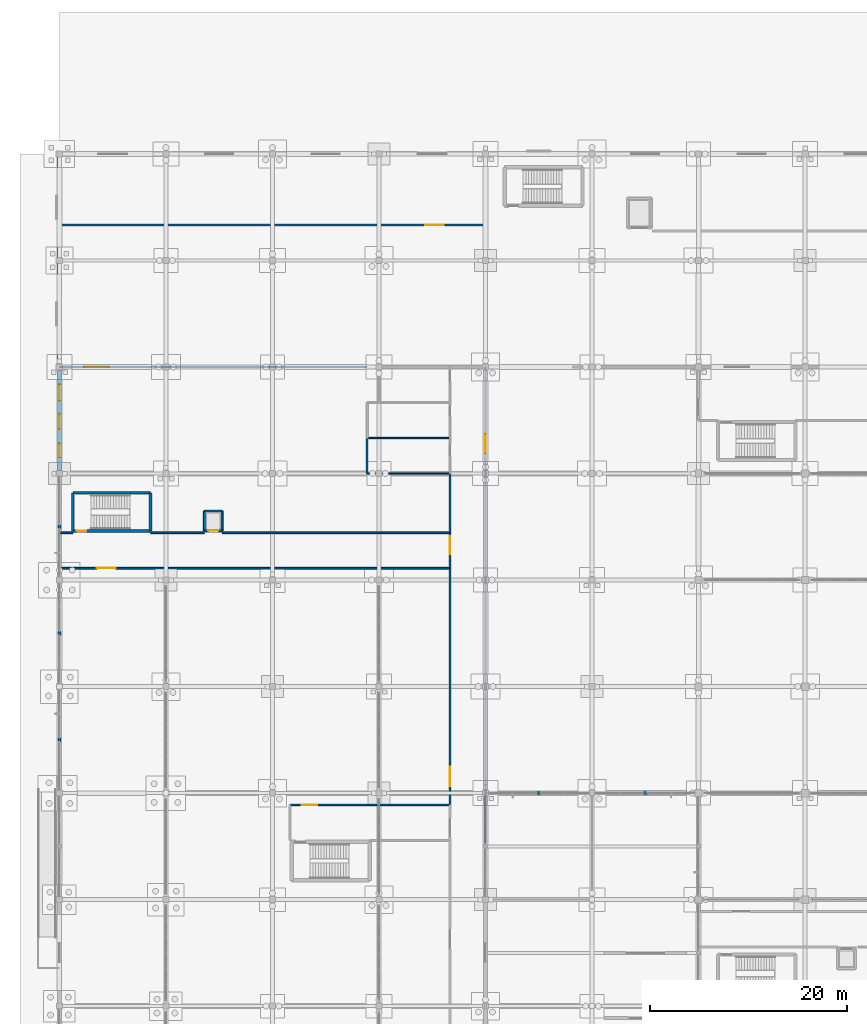
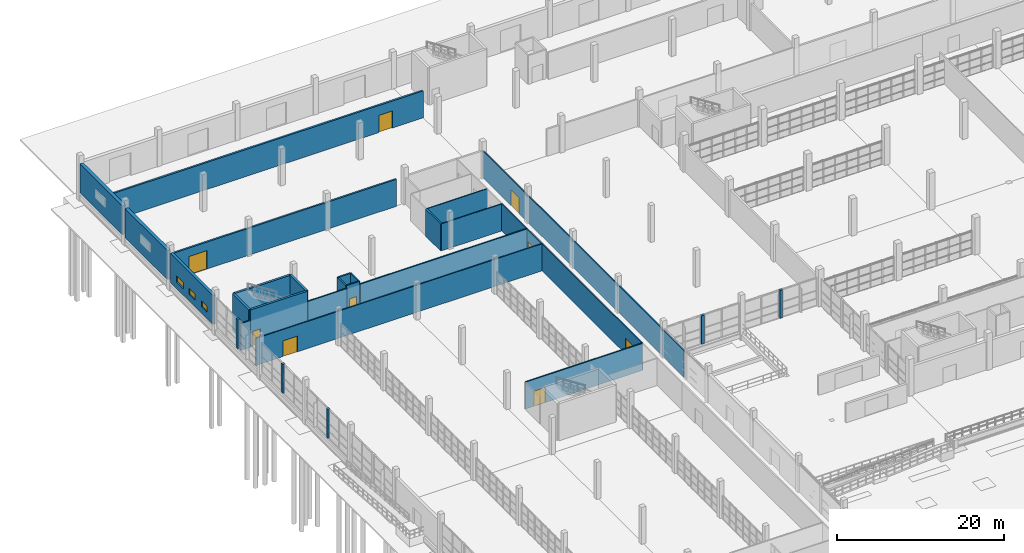
# One storey, part 103 of 138: 31 walls, 9 doors, 3 windows, 12 openings.
"""IFC4 building model written with IfcOpenShell, lengths in metres."""

from ifc_helpers import new_model, si_unit, direction, frame, frame_2d, origin, place, context, subcontext, project, spatial, rectangle, extrude, material, layer, layer_set, type_object, element, fill, save


model = new_model("IFC4")

# Units and contexts
model_context = context("Model", 3, precision=1e-05, world=origin(), true_north=direction((0.0, 1.0)))
body_context = subcontext(model_context, "Body", "Model", "MODEL_VIEW")
ifc_project = project(units=[si_unit("LENGTHUNIT", "METRE"), si_unit("AREAUNIT", "SQUARE_METRE"), si_unit("VOLUMEUNIT", "CUBIC_METRE"), si_unit("PLANEANGLEUNIT", "RADIAN"), si_unit("MASSUNIT", "GRAM", prefix="KILO")], contexts=[model_context])

# Site, building, storey
site_placement = place(None, origin())
site = spatial("IfcSite", under=ifc_project, at=site_placement, CompositionType="ELEMENT")
building_placement = place(site_placement, origin())
building = spatial("IfcBuilding", under=site, at=building_placement, Name="Zwinboog Wholesale Market", CompositionType="ELEMENT")
storey_placement = place(building_placement, origin())
storey = spatial("IfcBuildingStorey", under=building, at=storey_placement, Name="L00", CompositionType="ELEMENT", Elevation=0.0)

# Wall, openings, windows
ifc_material_1 = material(Name="Precast concrete C45/55", Category="concrete")
ifc_layer_1 = layer(ifc_material_1, 0.389892578125)
ifc_layer_set_1 = layer_set([ifc_layer_1], Name="Precast concrete C45/55")
wall_type_1 = type_object("IfcWallType", Name="WT-EW-390", PredefinedType="STANDARD", material=ifc_layer_set_1)
wall_1_placement = place(storey_placement, frame((0.0, 97.4951171875, 0.0), z_axis=(0.0, 0.0, 1.0), x_axis=(0.0, 1.0, 0.0)))
wall_1 = element("IfcWall", 1, at=wall_1_placement, inside=storey, type_object=wall_type_1, Name="EW-02 (WL-EW-L00-011)", PredefinedType="STANDARD", context=body_context, shape_type="SweptSolid", body=[
    extrude(rectangle(XDim=10.184814453125, YDim=0.389892578125, at=frame_2d((5.09228515625, 0.0))), origin(), (0.0, 0.0, 1.0), 4.25),
])
opening_1_placement = place(wall_1_placement, frame((1.344970703125, 0.0, 0.949951171875)))
opening_1 = element("IfcOpeningElement", 2, at=opening_1_placement, cuts=wall_1, Name="Opening WN-04", PredefinedType="OPENING", context=body_context, shape_type="SweptSolid", body=[
    extrude(rectangle(XDim=1.409912109375, YDim=0.89990234375, at=frame_2d((0.705078125, 0.449951171875))), frame((0.0, 0.204833984375, 0.0), z_axis=(0.0, -1.0, 0.0), x_axis=(1.0, 0.0, 0.0)), (0.0, 0.0, 1.0), 0.409912109375),
])
opening_2_placement = place(wall_1_placement, frame((4.215087890625, 0.0, 0.949951171875)))
opening_2 = element("IfcOpeningElement", 3, at=opening_2_placement, cuts=wall_1, Name="Opening WN-05", PredefinedType="OPENING", context=body_context, shape_type="SweptSolid", body=[
    extrude(rectangle(XDim=1.530029296875, YDim=0.89990234375, at=frame_2d((0.76513671875, 0.449951171875))), frame((0.0, 0.204833984375, 0.0), z_axis=(0.0, -1.0, 0.0), x_axis=(1.0, 0.0, 0.0)), (0.0, 0.0, 1.0), 0.409912109375),
])
opening_3_placement = place(wall_1_placement, frame((7.0849609375, 0.0, 0.949951171875)))
opening_3 = element("IfcOpeningElement", 4, at=opening_3_placement, cuts=wall_1, Name="Opening WN-06", PredefinedType="OPENING", context=body_context, shape_type="SweptSolid", body=[
    extrude(rectangle(XDim=1.64990234375, YDim=0.89990234375, at=frame_2d((0.824951171875, 0.449951171875))), frame((0.0, 0.204833984375, 0.0), z_axis=(0.0, -1.0, 0.0), x_axis=(1.0, 0.0, 0.0)), (0.0, 0.0, 1.0), 0.409912109375),
])
ifc_material_2 = material(Name="Thermally broken aluminium low-e window", Category="aluminium")
window_type_1 = type_object("IfcWindowType", Name="WNT-04", PartitioningType="SINGLE_PANEL", PredefinedType="WINDOW", material=ifc_material_2)
window_1_placement = place(opening_1_placement, origin())
window_1 = element("IfcWindow", 5, at=window_1_placement, inside=storey, type_object=window_type_1, Name="WN-04 (WIN-L00-0004)", OverallHeight=0.89990234375, OverallWidth=1.409912109375, PartitioningType="SINGLE_PANEL", PredefinedType="WINDOW", context=body_context, shape_type="SweptSolid", body=[
    extrude(rectangle(XDim=1.409912109375, YDim=0.89990234375, at=frame_2d((0.705078125, 0.449951171875))), frame((0.0, 0.030029296875, 0.0), z_axis=(0.0, -1.0, 0.0), x_axis=(1.0, 0.0, 0.0)), (0.0, 0.0, 1.0), 0.06005859375),
])
fill(opening_1, window_1)
window_type_2 = type_object("IfcWindowType", Name="WNT-05", PartitioningType="SINGLE_PANEL", PredefinedType="WINDOW", material=ifc_material_2)
window_2_placement = place(opening_2_placement, origin())
window_2 = element("IfcWindow", 6, at=window_2_placement, inside=storey, type_object=window_type_2, Name="WN-05 (WIN-L00-0005)", OverallHeight=0.89990234375, OverallWidth=1.530029296875, PartitioningType="SINGLE_PANEL", PredefinedType="WINDOW", context=body_context, shape_type="SweptSolid", body=[
    extrude(rectangle(XDim=1.530029296875, YDim=0.89990234375, at=frame_2d((0.76513671875, 0.449951171875))), frame((0.0, 0.030029296875, 0.0), z_axis=(0.0, -1.0, 0.0), x_axis=(1.0, 0.0, 0.0)), (0.0, 0.0, 1.0), 0.06005859375),
])
fill(opening_2, window_2)
window_type_3 = type_object("IfcWindowType", Name="WNT-06", PartitioningType="SINGLE_PANEL", PredefinedType="WINDOW", material=ifc_material_2)
window_3_placement = place(opening_3_placement, origin())
window_3 = element("IfcWindow", 7, at=window_3_placement, inside=storey, type_object=window_type_3, Name="WN-06 (WIN-L00-0006)", OverallHeight=0.89990234375, OverallWidth=1.64990234375, PartitioningType="SINGLE_PANEL", PredefinedType="WINDOW", context=body_context, shape_type="SweptSolid", body=[
    extrude(rectangle(XDim=1.64990234375, YDim=0.89990234375, at=frame_2d((0.824951171875, 0.449951171875))), frame((0.0, 0.030029296875, 0.0), z_axis=(0.0, -1.0, 0.0), x_axis=(1.0, 0.0, 0.0)), (0.0, 0.0, 1.0), 0.06005859375),
])
fill(opening_3, window_3)

# Walls
ifc_layer_2 = layer(ifc_material_1, 0.455078125)
ifc_layer_set_2 = layer_set([ifc_layer_2], Name="Precast concrete C45/55")
wall_type_2 = type_object("IfcWallType", Name="WT-EW-455", PredefinedType="STANDARD", material=ifc_layer_set_2)
for number, where, z_axis, x_axis, name in (
    (8, (0.0, 108.320068359375, 0.0), (0.0, 0.0, 1.0), (0.0, 1.0, 0.0), "EW-05 (WL-EW-L00-012)"),
    (9, (0.0, 119.1201171875, 0.0), (0.0, 0.0, 1.0), (0.0, 1.0, 0.0), "EW-05 (WL-EW-L00-014)"),
):
    element("IfcWall", number, at=place(storey_placement, frame(where, z_axis=z_axis, x_axis=x_axis)), inside=storey, type_object=wall_type_2, Name=name, PredefinedType="STANDARD", context=body_context, shape_type="SweptSolid", body=[
        extrude(rectangle(XDim=10.159912109375, YDim=0.455078125, at=frame_2d((5.080078125, 0.0))), origin(), (0.0, 0.0, 1.0), 4.25),
    ])
ifc_layer_3 = layer(ifc_material_1, 0.304931640625)
ifc_layer_set_3 = layer_set([ifc_layer_3], Name="Precast concrete C45/55")
wall_type_3 = type_object("IfcWallType", Name="WT-EW-305", PredefinedType="STANDARD", material=ifc_layer_set_3)
for number, where, z_axis, x_axis, name in (
    (10, (0.0, 70.0, 0.0), (0.0, 0.0, 1.0), (0.0, 1.0, 0.0), "EW-07 (WL-PIER-L00-008)"),
    (11, (0.0, 80.800048828125, 0.0), (0.0, 0.0, 1.0), (0.0, 1.0, 0.0), "EW-07 (WL-PIER-L00-009)"),
    (12, (0.0, 91.60009765625, 0.0), (0.0, 0.0, 1.0), (0.0, 1.0, 0.0), "EW-07 (WL-PIER-L00-010)"),
):
    element("IfcWall", number, at=place(storey_placement, frame(where, z_axis=z_axis, x_axis=x_axis)), inside=storey, type_object=wall_type_3, Name=name, PredefinedType="STANDARD", context=body_context, shape_type="SweptSolid", body=[
        extrude(rectangle(XDim=0.39990234375, YDim=0.304931640625, at=frame_2d((0.199951171875, 0.0))), origin(), (0.0, 0.0, 1.0), 4.25),
    ])
wall_2_placement = place(storey_placement, frame((48.39990234375, 64.800048828125, 0.0), z_axis=(0.0, 0.0, 1.0), x_axis=(1.0, 0.0, 0.0)))
element("IfcWall", 13, at=wall_2_placement, inside=storey, type_object=wall_type_3, Name="EW-07 (WL-PIER-L00-027)", PredefinedType="STANDARD", context=body_context, shape_type="SweptSolid", body=[
    extrude(rectangle(XDim=0.400146484375, YDim=0.304931640625, at=frame_2d((0.2001953125, 0.0))), origin(), (0.0, 0.0, 1.0), 4.197998046875),
])
wall_3_placement = place(storey_placement, frame((59.199951171875, 64.800048828125, 0.0), z_axis=(0.0, 0.0, 1.0), x_axis=(1.0, 0.0, 0.0)))
element("IfcWall", 14, at=wall_3_placement, inside=storey, type_object=wall_type_3, Name="EW-07 (WL-PIER-L00-029)", PredefinedType="STANDARD", context=body_context, shape_type="SweptSolid", body=[
    extrude(rectangle(XDim=0.400146484375, YDim=0.304931640625, at=frame_2d((0.2001953125, 0.0))), origin(), (0.0, 0.0, 1.0), 4.097900390625),
])

# Wall, opening, door
ifc_material_3 = material(Name="Concrete C40/50", Category="concrete")
ifc_layer_4 = layer(ifc_material_3, 0.300048828125)
ifc_layer_set_4 = layer_set([ifc_layer_4], Name="Concrete C40/50")
wall_type_4 = type_object("IfcWallType", Name="WT-SW-300", PredefinedType="SHEAR", material=ifc_layer_set_4)
wall_4_placement = place(storey_placement, frame((1.35009765625, 91.35009765625, 0.0), z_axis=(0.0, 0.0, 1.0), x_axis=(1.0, 0.0, 0.0)))
wall_4 = element("IfcWall", 15, at=wall_4_placement, inside=storey, type_object=wall_type_4, Name="SW-02 (WL-SW-L00-009)", PredefinedType="SHEAR", context=body_context, shape_type="SweptSolid", body=[
    extrude(rectangle(XDim=7.89990234375, YDim=0.300048828125, at=frame_2d((3.949951171875, 0.0))), origin(), (0.0, 0.0, 1.0), 5.39990234375),
])
opening_4_placement = place(wall_4_placement, frame((0.3798828125, 0.0, 0.0)))
opening_4 = element("IfcOpeningElement", 16, at=opening_4_placement, cuts=wall_4, Name="Opening FD-0003", PredefinedType="OPENING", context=body_context, shape_type="SweptSolid", body=[
    extrude(rectangle(XDim=1.0, YDim=2.14990234375, at=frame_2d((0.5, 1.074951171875))), frame((0.0, 0.159912109375, 0.0), z_axis=(0.0, -1.0, 0.0), x_axis=(1.0, 0.0, 0.0)), (0.0, 0.0, 1.0), 0.320068359375),
])
ifc_material_4 = material(Name="Timber and powder-coated steel door leaf", Category="steel")
door_type_1 = type_object("IfcDoorType", Name="IDT-FD-01", OperationType="NOTDEFINED", PredefinedType="DOOR", material=ifc_material_4)
door_1_placement = place(opening_4_placement, origin())
door_1 = element("IfcDoor", 17, at=door_1_placement, inside=storey, type_object=door_type_1, Name="Core Fire Door FD-0003", OperationType="SINGLE_SWING_RIGHT", OverallHeight=2.14990234375, OverallWidth=1.0, PredefinedType="DOOR", context=body_context, shape_type="SweptSolid", body=[
    extrude(rectangle(XDim=1.0, YDim=2.14990234375, at=frame_2d((0.5, 1.074951171875))), frame((0.0, 0.02490234375, 0.0), z_axis=(0.0, -1.0, 0.0), x_axis=(1.0, 0.0, 0.0)), (0.0, 0.0, 1.0), 0.050048828125),
])
fill(opening_4, door_1)

# Walls
wall_5_placement = place(storey_placement, frame((1.35009765625, 95.25, 0.0), z_axis=(0.0, 0.0, 1.0), x_axis=(1.0, 0.0, 0.0)))
element("IfcWall", 18, at=wall_5_placement, inside=storey, type_object=wall_type_4, Name="SW-02 (WL-SW-L00-010)", PredefinedType="SHEAR", context=body_context, shape_type="SweptSolid", body=[
    extrude(rectangle(XDim=7.89990234375, YDim=0.300048828125, at=frame_2d((3.949951171875, 0.0))), origin(), (0.0, 0.0, 1.0), 5.39990234375),
])
for number, where, z_axis, x_axis, name in (
    (19, (1.35009765625, 91.35009765625, 0.0), (0.0, 0.0, 1.0), (0.0, 1.0, 0.0), "SW-02 (WL-SW-L00-011)"),
    (20, (9.25, 91.35009765625, 0.0), (0.0, 0.0, 1.0), (0.0, 1.0, 0.0), "SW-02 (WL-SW-L00-012)"),
):
    element("IfcWall", number, at=place(storey_placement, frame(where, z_axis=z_axis, x_axis=x_axis)), inside=storey, type_object=wall_type_4, Name=name, PredefinedType="SHEAR", context=body_context, shape_type="SweptSolid", body=[
        extrude(rectangle(XDim=3.89990234375, YDim=0.300048828125, at=frame_2d((1.949951171875, 0.0))), origin(), (0.0, 0.0, 1.0), 5.39990234375),
    ])

# Wall, opening, door
ifc_layer_5 = layer(ifc_material_1, 0.199951171875)
ifc_layer_set_5 = layer_set([ifc_layer_5], Name="Precast concrete C45/55")
wall_type_5 = type_object("IfcWallType", Name="WT-IW-200", PredefinedType="SOLIDWALL", material=ifc_layer_set_5)
wall_6_placement = place(storey_placement, frame((14.699951171875, 91.39990234375, 0.0), z_axis=(0.0, 0.0, 1.0), x_axis=(1.0, 0.0, 0.0)))
wall_6 = element("IfcWall", 21, at=wall_6_placement, inside=storey, type_object=wall_type_5, Name="IW-60 (WL-LSH-L00-177)", PredefinedType="SOLIDWALL", context=body_context, shape_type="SweptSolid", body=[
    extrude(rectangle(XDim=1.800048828125, YDim=0.199951171875, at=frame_2d((0.89990234375, 0.0))), origin(), (0.0, 0.0, 1.0), 4.219970703125),
])
opening_5_placement = place(wall_6_placement, frame((0.39990234375, 0.0, 0.0)))
opening_5 = element("IfcOpeningElement", 22, at=opening_5_placement, cuts=wall_6, Name="Opening LD-003", PredefinedType="OPENING", context=body_context, shape_type="SweptSolid", body=[
    extrude(rectangle(XDim=1.0, YDim=2.14990234375, at=frame_2d((0.5, 1.074951171875))), frame((0.0, 0.10986328125, 0.0), z_axis=(0.0, -1.0, 0.0), x_axis=(1.0, 0.0, 0.0)), (0.0, 0.0, 1.0), 0.219970703125),
])
door_type_2 = type_object("IfcDoorType", Name="IDT-LD-100", OperationType="DOUBLE_DOOR_SLIDING", PredefinedType="DOOR", material=ifc_material_4)
door_2_placement = place(opening_5_placement, origin())
door_2 = element("IfcDoor", 23, at=door_2_placement, inside=storey, type_object=door_type_2, Name="Lift Landing Door LD-003 (LP-02)", OperationType="DOUBLE_DOOR_SLIDING", OverallHeight=2.14990234375, OverallWidth=1.0, PredefinedType="DOOR", context=body_context, shape_type="SweptSolid", body=[
    extrude(rectangle(XDim=1.0, YDim=2.14990234375, at=frame_2d((0.5, 1.074951171875))), frame((0.0, 0.02490234375, 0.0), z_axis=(0.0, -1.0, 0.0), x_axis=(1.0, 0.0, 0.0)), (0.0, 0.0, 1.0), 0.050048828125),
])
fill(opening_5, door_2)

# Walls
wall_7_placement = place(storey_placement, frame((14.699951171875, 93.39990234375, 0.0), z_axis=(0.0, 0.0, 1.0), x_axis=(1.0, 0.0, 0.0)))
element("IfcWall", 24, at=wall_7_placement, inside=storey, type_object=wall_type_5, Name="IW-60 (WL-LSH-L00-178)", PredefinedType="SOLIDWALL", context=body_context, shape_type="SweptSolid", body=[
    extrude(rectangle(XDim=1.800048828125, YDim=0.199951171875, at=frame_2d((0.89990234375, 0.0))), origin(), (0.0, 0.0, 1.0), 4.219970703125),
])
for number, where, z_axis, x_axis, name in (
    (25, (14.699951171875, 91.39990234375, 0.0), (0.0, 0.0, 1.0), (0.0, 1.0, 0.0), "IW-60 (WL-LSH-L00-179)"),
    (26, (16.5, 91.39990234375, 0.0), (0.0, 0.0, 1.0), (0.0, 1.0, 0.0), "IW-60 (WL-LSH-L00-180)"),
):
    element("IfcWall", number, at=place(storey_placement, frame(where, z_axis=z_axis, x_axis=x_axis)), inside=storey, type_object=wall_type_5, Name=name, PredefinedType="SOLIDWALL", context=body_context, shape_type="SweptSolid", body=[
        extrude(rectangle(XDim=2.0, YDim=0.199951171875, at=frame_2d((1.0, 0.0))), origin(), (0.0, 0.0, 1.0), 4.219970703125),
    ])
ifc_layer_6 = layer(ifc_material_1, 0.215087890625)
ifc_layer_set_6 = layer_set([ifc_layer_6], Name="Precast concrete C45/55")
wall_type_6 = type_object("IfcWallType", Name="WT-IW-215", PredefinedType="PARTITIONING", material=ifc_layer_set_6)
wall_8_placement = place(storey_placement, frame((31.199951171875, 97.199951171875, 0.0), z_axis=(0.0, 0.0, 1.0), x_axis=(0.0, 1.0, 0.0)))
element("IfcWall", 27, at=wall_8_placement, inside=storey, type_object=wall_type_6, Name="IW-02 (WL-IN-L00-0050)", PredefinedType="PARTITIONING", context=body_context, shape_type="SweptSolid", body=[
    extrude(rectangle(XDim=3.60009765625, YDim=0.215087890625, at=frame_2d((1.800048828125, 0.0))), origin(), (0.0, 0.0, 1.0), 3.949951171875),
])

# Wall, opening, door
ifc_layer_7 = layer(ifc_material_1, 0.235107421875)
ifc_layer_set_7 = layer_set([ifc_layer_7], Name="Precast concrete C45/55")
wall_type_7 = type_object("IfcWallType", Name="WT-IW-235", PredefinedType="PARTITIONING", material=ifc_layer_set_7)
wall_9_placement = place(storey_placement, frame((0.0, 108.0, 0.0), z_axis=(0.0, 0.0, 1.0), x_axis=(1.0, 0.0, 0.0)))
wall_9 = element("IfcWall", 28, at=wall_9_placement, inside=storey, type_object=wall_type_7, Name="IW-03 (WL-IN-L00-0045)", PredefinedType="PARTITIONING", context=body_context, shape_type="SweptSolid", body=[
    extrude(rectangle(XDim=31.199951171875, YDim=0.235107421875, at=frame_2d((15.60009765625, 0.0))), origin(), (0.0, 0.0, 1.0), 3.949951171875),
])
opening_6_placement = place(wall_9_placement, frame((2.493896484375, 0.0, 0.0)))
opening_6 = element("IfcOpeningElement", 29, at=opening_6_placement, cuts=wall_9, Name="Opening IDF-0036", PredefinedType="OPENING", context=body_context, shape_type="SweptSolid", body=[
    extrude(rectangle(XDim=2.5, YDim=2.699951171875, at=frame_2d((1.25, 1.35009765625))), frame((0.0, 0.12744140625, 0.0), z_axis=(0.0, -1.0, 0.0), x_axis=(1.0, 0.0, 0.0)), (0.0, 0.0, 1.0), 0.255126953125),
])
door_type_3 = type_object("IfcDoorType", Name="IDT-CS-03", OperationType="DOUBLE_DOOR_SLIDING", PredefinedType="DOOR", material=ifc_material_4)
door_3_placement = place(opening_6_placement, frame((2.5, 0.0, 0.0), z_axis=(0.0, 0.0, 1.0), x_axis=(-1.0, 0.0, 0.0)))
door_3 = element("IfcDoor", 30, at=door_3_placement, inside=storey, type_object=door_type_3, Name="Interior Door IDF-0036", OperationType="DOUBLE_DOOR_SLIDING", OverallHeight=2.699951171875, OverallWidth=2.5, PredefinedType="DOOR", context=body_context, shape_type="SweptSolid", body=[
    extrude(rectangle(XDim=2.5, YDim=2.699951171875, at=frame_2d((1.25, 1.35009765625))), frame((0.0, 0.02490234375, 0.0), z_axis=(0.0, -1.0, 0.0), x_axis=(1.0, 0.0, 0.0)), (0.0, 0.0, 1.0), 0.050048828125),
])
fill(opening_6, door_3)

ifc_material_5 = material(Name="Insulated PIR freezer sandwich panel")
ifc_layer_8 = layer(ifc_material_5, 0.251953125)
ifc_layer_set_8 = layer_set([ifc_layer_8], Name="Insulated PIR freezer sandwich panel")
wall_type_8 = type_object("IfcWallType", Name="WT-CS-252", PredefinedType="PARTITIONING", material=ifc_layer_set_8)
wall_10_placement = place(storey_placement, frame((0.0, 122.39990234375, 0.0), z_axis=(0.0, 0.0, 1.0), x_axis=(1.0, 0.0, 0.0)))
wall_10 = element("IfcWall", 31, at=wall_10_placement, inside=storey, type_object=wall_type_8, Name="PW-CS2 (WL-IN-L00-0046)", PredefinedType="PARTITIONING", context=body_context, shape_type="SweptSolid", body=[
    extrude(rectangle(XDim=43.199951171875, YDim=0.251953125, at=frame_2d((21.60009765625, 0.0))), origin(), (0.0, 0.0, 1.0), 3.949951171875),
])
opening_7_placement = place(wall_10_placement, frame((37.0859375, 0.0, 0.0)))
opening_7 = element("IfcOpeningElement", 32, at=opening_7_placement, cuts=wall_10, Name="Opening IDF-0037", PredefinedType="OPENING", context=body_context, shape_type="SweptSolid", body=[
    extrude(rectangle(XDim=1.860107421875, YDim=2.5, at=frame_2d((0.93017578125, 1.25))), frame((0.0, 0.135986328125, 0.0), z_axis=(0.0, -1.0, 0.0), x_axis=(1.0, 0.0, 0.0)), (0.0, 0.0, 1.0), 0.27197265625),
])
door_type_4 = type_object("IfcDoorType", Name="IDT-CS-01", OperationType="SLIDING_TO_LEFT", PredefinedType="DOOR", material=ifc_material_4)
door_4_placement = place(opening_7_placement, origin())
door_4 = element("IfcDoor", 33, at=door_4_placement, inside=storey, type_object=door_type_4, Name="Interior Door IDF-0037", OperationType="SLIDING_TO_LEFT", OverallHeight=2.5, OverallWidth=1.860107421875, PredefinedType="DOOR", context=body_context, shape_type="SweptSolid", body=[
    extrude(rectangle(XDim=1.860107421875, YDim=2.5, at=frame_2d((0.93017578125, 1.25))), frame((0.0, 0.02490234375, 0.0), z_axis=(0.0, -1.0, 0.0), x_axis=(1.0, 0.0, 0.0)), (0.0, 0.0, 1.0), 0.050048828125),
])
fill(opening_7, door_4)

# Walls
ifc_material_6 = material(Name="Hygienic washable stud partition")
ifc_layer_9 = layer(ifc_material_6, 0.137939453125)
ifc_layer_set_9 = layer_set([ifc_layer_9], Name="Hygienic washable stud partition")
wall_type_9 = type_object("IfcWallType", Name="WT-PT-138", PredefinedType="PARTITIONING", material=ifc_layer_set_9)
for number, where, z_axis, x_axis, name in (
    (34, (31.199951171875, 97.199951171875, 0.0), (0.0, 0.0, 1.0), (1.0, 0.0, 0.0), "PW-03 (WL-IN-L00-0051)"),
    (35, (31.199951171875, 100.800048828125, 0.0), (0.0, 0.0, 1.0), (1.0, 0.0, 0.0), "PW-03 (WL-IN-L00-0053)"),
):
    element("IfcWall", number, at=place(storey_placement, frame(where, z_axis=z_axis, x_axis=x_axis)), inside=storey, type_object=wall_type_9, Name=name, PredefinedType="PARTITIONING", context=body_context, shape_type="SweptSolid", body=[
        extrude(rectangle(XDim=8.400146484375, YDim=0.137939453125, at=frame_2d((4.2001953125, 0.0))), origin(), (0.0, 0.0, 1.0), 3.949951171875),
    ])

# Wall, opening, door
ifc_material_7 = material(Name="Fire-rated corridor stud partition")
ifc_layer_10 = layer(ifc_material_7, 0.154052734375)
ifc_layer_set_10 = layer_set([ifc_layer_10], Name="Fire-rated corridor stud partition")
wall_type_10 = type_object("IfcWallType", Name="WT-PT-154", PredefinedType="PARTITIONING", material=ifc_layer_set_10)
wall_11_placement = place(storey_placement, frame((39.60009765625, 63.60009765625, 0.0), z_axis=(0.0, 0.0, 1.0), x_axis=(0.0, 1.0, 0.0)))
wall_11 = element("IfcWall", 36, at=wall_11_placement, inside=storey, type_object=wall_type_10, Name="PW-04 (WL-IN-L00-0017)", PredefinedType="PARTITIONING", context=body_context, shape_type="SweptSolid", body=[
    extrude(rectangle(XDim=24.0, YDim=0.154052734375, at=frame_2d((12.0, 0.0))), origin(), (0.0, 0.0, 1.0), 3.949951171875),
])
opening_8_placement = place(wall_11_placement, frame((1.89990234375, 0.0, 0.0)))
opening_8 = element("IfcOpeningElement", 37, at=opening_8_placement, cuts=wall_11, Name="Opening IDF-0017", PredefinedType="OPENING", context=body_context, shape_type="SweptSolid", body=[
    extrude(rectangle(XDim=1.9599609375, YDim=2.300048828125, at=frame_2d((0.97998046875, 1.14990234375))), frame((0.0, 0.0869140625, 0.0), z_axis=(0.0, -1.0, 0.0), x_axis=(1.0, 0.0, 0.0)), (0.0, 0.0, 1.0), 0.174072265625),
])
door_type_5 = type_object("IfcDoorType", Name="IDT-FD-05", OperationType="DOUBLE_DOOR_SINGLE_SWING", PredefinedType="DOOR", material=ifc_material_4)
door_5_placement = place(opening_8_placement, origin())
door_5 = element("IfcDoor", 38, at=door_5_placement, inside=storey, type_object=door_type_5, Name="Interior Door IDF-0017", OperationType="DOUBLE_DOOR_SINGLE_SWING", OverallHeight=2.300048828125, OverallWidth=1.9599609375, PredefinedType="DOOR", context=body_context, shape_type="SweptSolid", body=[
    extrude(rectangle(XDim=1.9599609375, YDim=2.300048828125, at=frame_2d((0.97998046875, 1.14990234375))), frame((0.0, 0.02490234375, 0.0), z_axis=(0.0, -1.0, 0.0), x_axis=(1.0, 0.0, 0.0)), (0.0, 0.0, 1.0), 0.050048828125),
])
fill(opening_8, door_5)

wall_12_placement = place(storey_placement, frame((43.199951171875, 64.800048828125, 0.0), z_axis=(0.0, 0.0, 1.0), x_axis=(0.0, 1.0, 0.0)))
wall_12 = element("IfcWall", 39, at=wall_12_placement, inside=storey, type_object=wall_type_10, Name="PW-04 (WL-IN-L00-0019)", PredefinedType="PARTITIONING", context=body_context, shape_type="SweptSolid", body=[
    extrude(rectangle(XDim=43.199951171875, YDim=0.154052734375, at=frame_2d((21.60009765625, 0.0))), origin(), (0.0, 0.0, 1.0), 3.949951171875),
])
opening_9_placement = place(wall_12_placement, frame((34.444091796875, 0.0, 0.0)))
opening_9 = element("IfcOpeningElement", 40, at=opening_9_placement, cuts=wall_12, Name="Opening IDF-0018", PredefinedType="OPENING", context=body_context, shape_type="SweptSolid", body=[
    extrude(rectangle(XDim=1.9599609375, YDim=2.300048828125, at=frame_2d((0.97998046875, 1.14990234375))), frame((0.0, 0.0869140625, 0.0), z_axis=(0.0, -1.0, 0.0), x_axis=(1.0, 0.0, 0.0)), (0.0, 0.0, 1.0), 0.174072265625),
])
door_6_placement = place(opening_9_placement, frame((1.9599609375, 0.0, 0.0), z_axis=(0.0, 0.0, 1.0), x_axis=(-1.0, 0.0, 0.0)))
door_6 = element("IfcDoor", 41, at=door_6_placement, inside=storey, type_object=door_type_5, Name="Interior Door IDF-0018", OperationType="DOUBLE_DOOR_SINGLE_SWING", OverallHeight=2.300048828125, OverallWidth=1.9599609375, PredefinedType="DOOR", context=body_context, shape_type="SweptSolid", body=[
    extrude(rectangle(XDim=1.9599609375, YDim=2.300048828125, at=frame_2d((0.97998046875, 1.14990234375))), frame((0.0, 0.02490234375, 0.0), z_axis=(0.0, -1.0, 0.0), x_axis=(1.0, 0.0, 0.0)), (0.0, 0.0, 1.0), 0.050048828125),
])
fill(opening_9, door_6)

# Wall
wall_13_placement = place(storey_placement, frame((43.199951171875, 59.75244140625, 0.0), z_axis=(0.0, 0.0, 1.0), x_axis=(0.0, 1.0, 0.0)))
element("IfcWall", 42, at=wall_13_placement, inside=storey, type_object=wall_type_10, Name="PW-04 (WL-IN-L00-0067)", PredefinedType="PARTITIONING", context=body_context, shape_type="SweptSolid", body=[
    extrude(rectangle(XDim=5.047607421875, YDim=0.154052734375, at=frame_2d((2.52392578125, 0.0))), origin(), (0.0, 0.0, 1.0), 3.949951171875),
])

# Wall, opening, door
ifc_material_8 = material(Name="Laboratory acoustic partition")
ifc_layer_11 = layer(ifc_material_8, 0.16796875)
ifc_layer_set_11 = layer_set([ifc_layer_11], Name="Laboratory acoustic partition")
wall_type_11 = type_object("IfcWallType", Name="WT-PT-168", PredefinedType="PARTITIONING", material=ifc_layer_set_11)
wall_14_placement = place(storey_placement, frame((39.60009765625, 87.60009765625, 0.0), z_axis=(0.0, 0.0, 1.0), x_axis=(0.0, 1.0, 0.0)))
wall_14 = element("IfcWall", 43, at=wall_14_placement, inside=storey, type_object=wall_type_11, Name="PW-05 (WL-IN-L00-0004)", PredefinedType="PARTITIONING", context=body_context, shape_type="SweptSolid", body=[
    extrude(rectangle(XDim=3.599853515625, YDim=0.16796875, at=frame_2d((1.7998046875, 0.0))), origin(), (0.0, 0.0, 1.0), 3.949951171875),
])
opening_10_placement = place(wall_14_placement, frame((1.429931640625, 0.0, 0.0)))
opening_10 = element("IfcOpeningElement", 44, at=opening_10_placement, cuts=wall_14, Name="Opening IDF-0004", PredefinedType="OPENING", context=body_context, shape_type="SweptSolid", body=[
    extrude(rectangle(XDim=1.820068359375, YDim=2.25, at=frame_2d((0.91015625, 1.125))), frame((0.0, 0.093994140625, 0.0), z_axis=(0.0, -1.0, 0.0), x_axis=(1.0, 0.0, 0.0)), (0.0, 0.0, 1.0), 0.18798828125),
])
door_type_6 = type_object("IfcDoorType", Name="IDT-FD-04", OperationType="DOUBLE_DOOR_SINGLE_SWING", PredefinedType="DOOR", material=ifc_material_4)
door_7_placement = place(opening_10_placement, origin())
door_7 = element("IfcDoor", 45, at=door_7_placement, inside=storey, type_object=door_type_6, Name="Interior Door IDF-0004", OperationType="DOUBLE_DOOR_SINGLE_SWING", OverallHeight=2.25, OverallWidth=1.820068359375, PredefinedType="DOOR", context=body_context, shape_type="SweptSolid", body=[
    extrude(rectangle(XDim=1.820068359375, YDim=2.25, at=frame_2d((0.91015625, 1.125))), frame((0.0, 0.02490234375, 0.0), z_axis=(0.0, -1.0, 0.0), x_axis=(1.0, 0.0, 0.0)), (0.0, 0.0, 1.0), 0.050048828125),
])
fill(opening_10, door_7)

wall_15_placement = place(storey_placement, frame((0.0, 87.60009765625, 0.0), z_axis=(0.0, 0.0, 1.0), x_axis=(1.0, 0.0, 0.0)))
wall_15 = element("IfcWall", 46, at=wall_15_placement, inside=storey, type_object=wall_type_11, Name="PW-05 (WL-IN-L00-0012)", PredefinedType="PARTITIONING", context=body_context, shape_type="SweptSolid", body=[
    extrude(rectangle(XDim=39.60009765625, YDim=0.16796875, at=frame_2d((19.800048828125, 0.0))), origin(), (0.0, 0.0, 1.0), 3.949951171875),
])
opening_11_placement = place(wall_15_placement, frame((3.77197265625, 0.0, 0.0)))
opening_11 = element("IfcOpeningElement", 47, at=opening_11_placement, cuts=wall_15, Name="Opening IDF-0012", PredefinedType="OPENING", context=body_context, shape_type="SweptSolid", body=[
    extrude(rectangle(XDim=1.9599609375, YDim=2.300048828125, at=frame_2d((0.97998046875, 1.14990234375))), frame((0.0, 0.093994140625, 0.0), z_axis=(0.0, -1.0, 0.0), x_axis=(1.0, 0.0, 0.0)), (0.0, 0.0, 1.0), 0.18798828125),
])
door_8_placement = place(opening_11_placement, frame((1.9599609375, 0.0, 0.0), z_axis=(0.0, 0.0, 1.0), x_axis=(-1.0, 0.0, 0.0)))
door_8 = element("IfcDoor", 48, at=door_8_placement, inside=storey, type_object=door_type_5, Name="Interior Door IDF-0012", OperationType="DOUBLE_DOOR_SINGLE_SWING", OverallHeight=2.300048828125, OverallWidth=1.9599609375, PredefinedType="DOOR", context=body_context, shape_type="SweptSolid", body=[
    extrude(rectangle(XDim=1.9599609375, YDim=2.300048828125, at=frame_2d((0.97998046875, 1.14990234375))), frame((0.0, 0.02490234375, 0.0), z_axis=(0.0, -1.0, 0.0), x_axis=(1.0, 0.0, 0.0)), (0.0, 0.0, 1.0), 0.050048828125),
])
fill(opening_11, door_8)

wall_16_placement = place(storey_placement, frame((23.39990234375, 63.60009765625, 0.0), z_axis=(0.0, 0.0, 1.0), x_axis=(1.0, 0.0, 0.0)))
wall_16 = element("IfcWall", 49, at=wall_16_placement, inside=storey, type_object=wall_type_11, Name="PW-05 (WL-IN-L00-0014)", PredefinedType="PARTITIONING", context=body_context, shape_type="SweptSolid", body=[
    extrude(rectangle(XDim=16.2001953125, YDim=0.16796875, at=frame_2d((8.10009765625, 0.0))), origin(), (0.0, 0.0, 1.0), 3.949951171875),
])
opening_12_placement = place(wall_16_placement, frame((1.14404296875, 0.0, 0.0)))
opening_12 = element("IfcOpeningElement", 50, at=opening_12_placement, cuts=wall_16, Name="Opening IDF-0014", PredefinedType="OPENING", context=body_context, shape_type="SweptSolid", body=[
    extrude(rectangle(XDim=1.60009765625, YDim=2.199951171875, at=frame_2d((0.800048828125, 1.10009765625))), frame((0.0, 0.093994140625, 0.0), z_axis=(0.0, -1.0, 0.0), x_axis=(1.0, 0.0, 0.0)), (0.0, 0.0, 1.0), 0.18798828125),
])
door_type_7 = type_object("IfcDoorType", Name="IDT-FD-03", OperationType="DOUBLE_DOOR_SINGLE_SWING", PredefinedType="DOOR", material=ifc_material_4)
door_9_placement = place(opening_12_placement, origin())
door_9 = element("IfcDoor", 51, at=door_9_placement, inside=storey, type_object=door_type_7, Name="Interior Door IDF-0014", OperationType="DOUBLE_DOOR_SINGLE_SWING", OverallHeight=2.199951171875, OverallWidth=1.60009765625, PredefinedType="DOOR", context=body_context, shape_type="SweptSolid", body=[
    extrude(rectangle(XDim=1.60009765625, YDim=2.199951171875, at=frame_2d((0.800048828125, 1.10009765625))), frame((0.0, 0.02490234375, 0.0), z_axis=(0.0, -1.0, 0.0), x_axis=(1.0, 0.0, 0.0)), (0.0, 0.0, 1.0), 0.050048828125),
])
fill(opening_12, door_9)

# Walls
wall_17_placement = place(storey_placement, frame((0.0, 91.199951171875, 0.0), z_axis=(0.0, 0.0, 1.0), x_axis=(1.0, 0.0, 0.0)))
element("IfcWall", 52, at=wall_17_placement, inside=storey, type_object=wall_type_11, Name="PW-05 (WL-IN-L00-0042)", PredefinedType="PARTITIONING", context=body_context, shape_type="SweptSolid", body=[
    extrude(rectangle(XDim=1.330078125, YDim=0.16796875, at=frame_2d((0.6650390625, 0.0))), origin(), (0.0, 0.0, 1.0), 3.949951171875),
])
wall_18_placement = place(storey_placement, frame((9.27001953125, 91.199951171875, 0.0), z_axis=(0.0, 0.0, 1.0), x_axis=(1.0, 0.0, 0.0)))
element("IfcWall", 53, at=wall_18_placement, inside=storey, type_object=wall_type_11, Name="PW-05 (WL-IN-L00-0043)", PredefinedType="PARTITIONING", context=body_context, shape_type="SweptSolid", body=[
    extrude(rectangle(XDim=5.409912109375, YDim=0.16796875, at=frame_2d((2.705078125, 0.0))), origin(), (0.0, 0.0, 1.0), 3.949951171875),
])
wall_19_placement = place(storey_placement, frame((16.52001953125, 91.199951171875, 0.0), z_axis=(0.0, 0.0, 1.0), x_axis=(1.0, 0.0, 0.0)))
element("IfcWall", 54, at=wall_19_placement, inside=storey, type_object=wall_type_11, Name="PW-05 (WL-IN-L00-0044)", PredefinedType="PARTITIONING", context=body_context, shape_type="SweptSolid", body=[
    extrude(rectangle(XDim=23.080078125, YDim=0.16796875, at=frame_2d((11.5400390625, 0.0))), origin(), (0.0, 0.0, 1.0), 3.949951171875),
])
wall_20_placement = place(storey_placement, frame((39.60009765625, 91.199951171875, 0.0), z_axis=(0.0, 0.0, 1.0), x_axis=(0.0, 1.0, 0.0)))
element("IfcWall", 55, at=wall_20_placement, inside=storey, type_object=wall_type_11, Name="PW-05 (WL-IN-L00-0060)", PredefinedType="PARTITIONING", context=body_context, shape_type="SweptSolid", body=[
    extrude(rectangle(XDim=6.0, YDim=0.16796875, at=frame_2d((3.0, 0.0))), origin(), (0.0, 0.0, 1.0), 3.949951171875),
])

save(model, "model.ifc")
